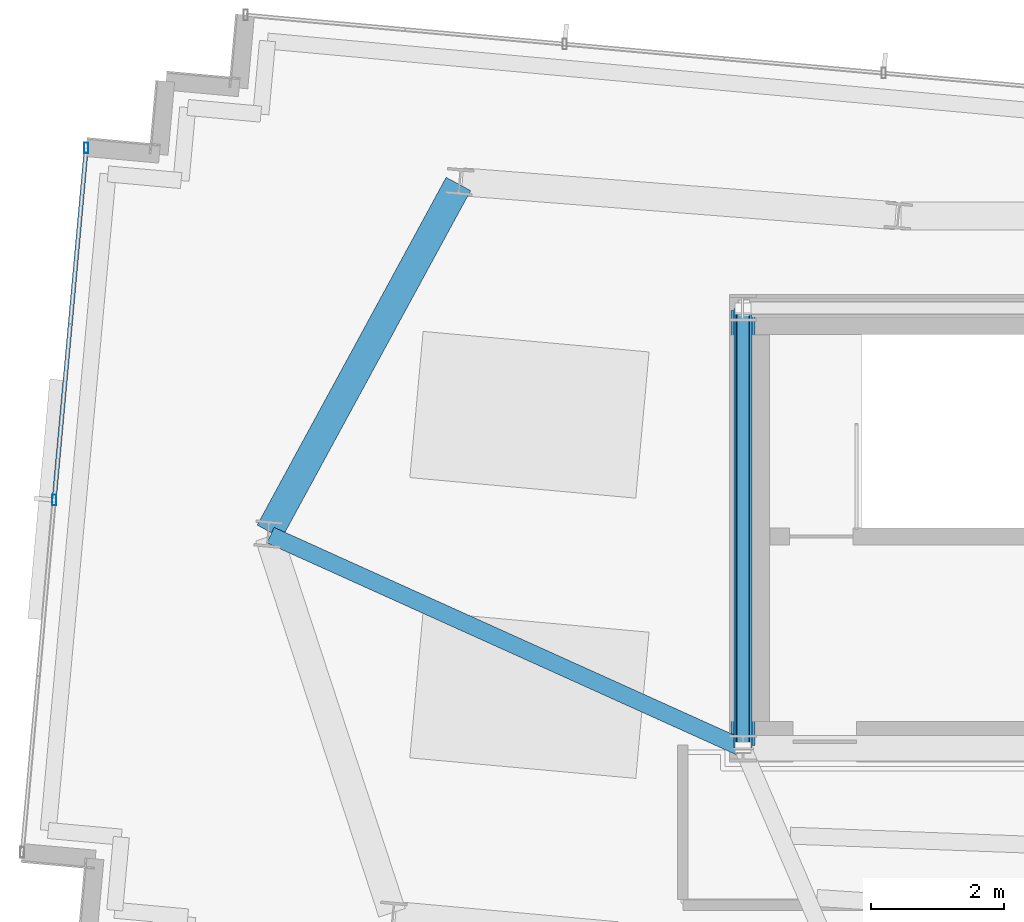
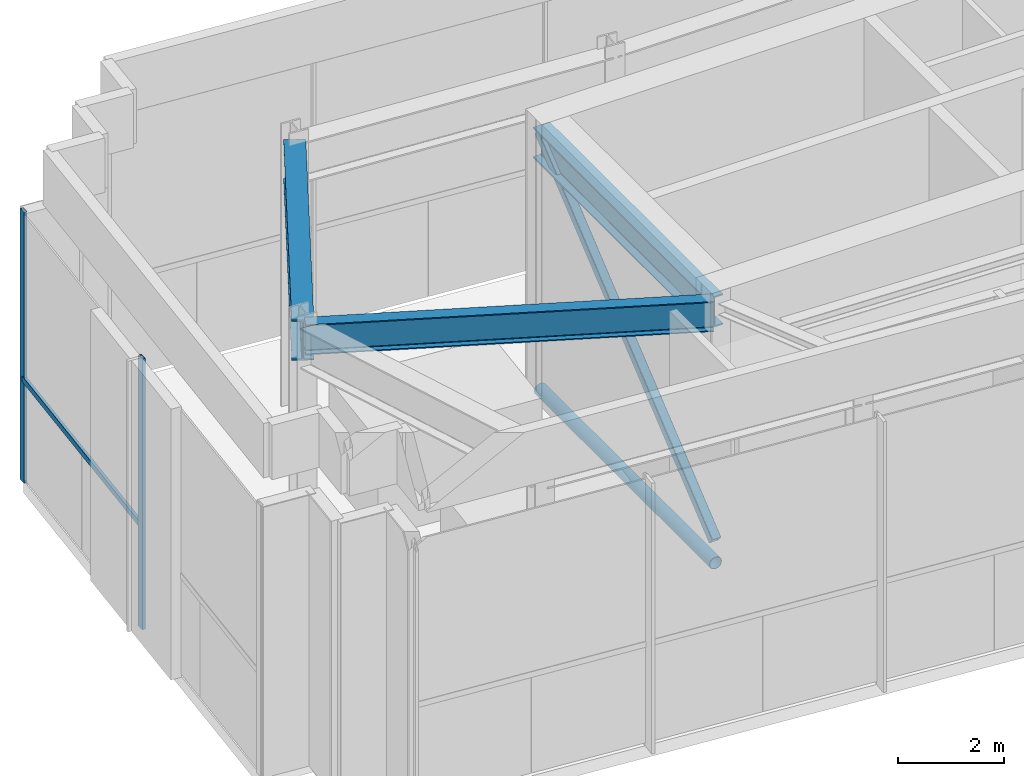
# One storey, part 4 of 18: 5 members, 3 beams, 1 element without a shape of its own.
"""IFC4 building model written with IfcOpenShell, lengths in metres."""

import ifcopenshell
import ifcopenshell.guid

model = None  # the IFC model being written
_history = None  # IfcOwnerHistory: only IFC2X3 demands one
_inside = {}  # id of a spatial element -> (the spatial element, [elements in it])
_under = {}  # id of a project, library or spatial element -> (it, [spatial elements below it])
_declared = {}  # id of a project -> (the project, [libraries it declares])
_typed = {}  # id of a type object -> (the type object, [elements of that type])
_made_of = {}  # id of a material, layer set ... -> (it, [elements and type objects made of it])


def new_model(schema):
    """Start an empty IFC model of exactly this schema.

    Asked for "IFC4X3", IfcOpenShell would pick the latest addendum, in which some entities
    have other attributes; the version numbers below select the first issue.
    IFC2X3 requires an IfcOwnerHistory on every rooted entity: one is made here for all.
    """
    global model, _history
    if schema == "IFC4X3":
        model = ifcopenshell.file(schema_version=(4, 3, 0, 0))
    else:
        model = ifcopenshell.file(schema=schema)
    _inside.clear()
    _under.clear()
    _declared.clear()
    _typed.clear()
    _made_of.clear()
    _history = None
    if model.schema == "IFC2X3":
        org = make("IfcOrganization", Name="unknown")
        user = make(
            "IfcPersonAndOrganization",
            ThePerson=make("IfcPerson", FamilyName="unknown"),
            TheOrganization=org,
        )
        app = make(
            "IfcApplication",
            ApplicationDeveloper=org,
            Version="unknown",
            ApplicationFullName="unknown",
            ApplicationIdentifier="unknown",
        )
        _history = make(
            "IfcOwnerHistory",
            OwningUser=user,
            OwningApplication=app,
            ChangeAction="ADDED",
            CreationDate=0,
        )
    return model


def make(cls, **values):
    """One entity of the class cls with the attributes given. An attribute that is None is left unset."""
    return model.create_entity(
        cls, **{name: value for name, value in values.items() if value is not None}
    )


def rooted(cls, **values):
    """An entity with a GlobalId (a new one), such as an element, a storey or a relation."""
    return make(cls, GlobalId=ifcopenshell.guid.new(), OwnerHistory=_history, **values)


def si_unit(unit_type, name, prefix=None):
    """IfcSIUnit, for example si_unit("LENGTHUNIT", "METRE", prefix="MILLI")."""
    return make("IfcSIUnit", UnitType=unit_type, Prefix=prefix, Name=name)


def assignment(units):
    """IfcUnitAssignment: the units of a project."""
    return None if units is None else make("IfcUnitAssignment", Units=units)


def point(xyz):
    """IfcCartesianPoint."""
    return None if xyz is None else make("IfcCartesianPoint", Coordinates=xyz)


def direction(xyz):
    """IfcDirection."""
    return None if xyz is None else make("IfcDirection", DirectionRatios=xyz)


def frame(location, z_axis=None, x_axis=None):
    """IfcAxis2Placement3D, a coordinate frame: its origin and axes. An axis left out is left unset."""
    return make(
        "IfcAxis2Placement3D",
        Location=point(location),
        Axis=direction(z_axis),
        RefDirection=direction(x_axis),
    )


def frame_2d(location, x_axis=None):
    """IfcAxis2Placement2D, a coordinate frame in the plane: its origin and x axis."""
    return make(
        "IfcAxis2Placement2D", Location=point(location), RefDirection=direction(x_axis)
    )


def origin():
    """The frame at (0, 0, 0) with its axes left unset."""
    return frame((0.0, 0.0, 0.0))


def origin_2d():
    """The frame at (0, 0) in the plane with its x axis left unset."""
    return frame_2d((0.0, 0.0))


def place(relative_to, where):
    """IfcLocalPlacement: puts the frame where relative to a parent placement (None: the world)."""
    return make(
        "IfcLocalPlacement", PlacementRelTo=relative_to, RelativePlacement=where
    )


def context(
    kind, dimensions, precision=None, world=None, true_north=None, identifier=None
):
    """IfcGeometricRepresentationContext, for example the 3D "Model" context."""
    return make(
        "IfcGeometricRepresentationContext",
        ContextIdentifier=identifier,
        ContextType=kind,
        CoordinateSpaceDimension=dimensions,
        Precision=precision,
        WorldCoordinateSystem=world,
        TrueNorth=true_north,
    )


def subcontext(parent, identifier, kind, view, scale=None):
    """IfcGeometricRepresentationSubContext, for example "Body" below "Model"."""
    return make(
        "IfcGeometricRepresentationSubContext",
        ContextIdentifier=identifier,
        ContextType=kind,
        ParentContext=parent,
        TargetScale=scale,
        TargetView=view,
    )


def project(units=None, contexts=None):
    """IfcProject with its units and contexts."""
    return rooted(
        "IfcProject",
        Name="project",
        RepresentationContexts=contexts,
        UnitsInContext=assignment(units),
    )


def spatial(cls, under=None, at=None, **own):
    """A site, building, storey or space (cls), placed at a placement, below another one or the project."""
    s = rooted(cls, ObjectPlacement=at, **own)
    if under is not None:
        _under.setdefault(under.id(), (under, []))[1].append(s)
    return s


def profile(cls, at=None, kind="AREA", **sizes):
    """A parametric profile (cls). Its sizes go by their IFC names, for example OverallWidth=200.0."""
    return make(cls, ProfileType=kind, Position=at, **sizes)


def hollow_rectangle(**sizes):
    """IfcRectangleHollowProfileDef."""
    return profile("IfcRectangleHollowProfileDef", **sizes)


def hollow_circle(**sizes):
    """IfcCircleHollowProfileDef."""
    return profile("IfcCircleHollowProfileDef", **sizes)


def i_section(**sizes):
    """IfcIShapeProfileDef."""
    return profile("IfcIShapeProfileDef", **sizes)


def extrude(swept, where, along, depth):
    """IfcExtrudedAreaSolid: the profile swept, set in the frame where, extruded along a direction by depth."""
    return make(
        "IfcExtrudedAreaSolid",
        SweptArea=swept,
        Position=where,
        ExtrudedDirection=direction(along),
        Depth=depth,
    )


def shape(context_of_items, identifier, shape_type, items):
    """IfcShapeRepresentation: the items that make up one representation, for example the "Body"."""
    return make(
        "IfcShapeRepresentation",
        ContextOfItems=context_of_items,
        RepresentationIdentifier=identifier,
        RepresentationType=shape_type,
        Items=items,
    )


def source(mapping_origin, context_of_items, identifier, shape_type, items):
    """IfcRepresentationMap: a shape defined once, which mapped items show again and again."""
    return make(
        "IfcRepresentationMap",
        MappingOrigin=mapping_origin,
        MappedRepresentation=shape(context_of_items, identifier, shape_type, items),
    )


def transform(
    local_origin,
    x_axis=None,
    y_axis=None,
    z_axis=None,
    scale=None,
    scale2=None,
    scale3=None,
    uniform=True,
):
    """IfcCartesianTransformationOperator3D, or its non-uniform kind. x_axis, y_axis, z_axis: its Axis1, 2, 3."""
    if uniform:
        return make(
            "IfcCartesianTransformationOperator3D",
            Axis1=direction(x_axis),
            Axis2=direction(y_axis),
            LocalOrigin=point(local_origin),
            Scale=scale,
            Axis3=direction(z_axis),
        )
    return make(
        "IfcCartesianTransformationOperator3DnonUniform",
        Axis1=direction(x_axis),
        Axis2=direction(y_axis),
        LocalOrigin=point(local_origin),
        Scale=scale,
        Axis3=direction(z_axis),
        Scale2=scale2,
        Scale3=scale3,
    )


def mapped(mapping_source, mapping_target):
    """IfcMappedItem: shows the shape of a source again, moved by a transform."""
    return make(
        "IfcMappedItem", MappingSource=mapping_source, MappingTarget=mapping_target
    )


def material(Name=None, Category=None):
    """IfcMaterial."""
    return make("IfcMaterial", Name=Name, Category=Category)


def material_profile(
    of_material, cross_section, Name=None, Category=None, Priority=None
):
    """IfcMaterialProfile: a cross section and its material."""
    return make(
        "IfcMaterialProfile",
        Name=Name,
        Material=of_material,
        Profile=cross_section,
        Priority=Priority,
        Category=Category,
    )


def profile_set(profiles, Name=None, composite=None):
    """IfcMaterialProfileSet."""
    return make(
        "IfcMaterialProfileSet",
        Name=Name,
        MaterialProfiles=profiles,
        CompositeProfile=composite,
    )


def made_of(thing, what):
    """Note that an element or type object is made of a material, layer set ...; save() writes the relation."""
    if what is not None:
        _made_of.setdefault(what.id(), (what, []))[1].append(thing)
    return thing


def type_object(cls, material=None, **own):
    """A type object (cls), such as IfcWallType, which elements share."""
    return made_of(rooted(cls, **own), material)


def type_shapes(of_type, sources):
    """Give a type object the sources (RepresentationMaps) that its elements show as mapped items."""
    of_type.RepresentationMaps = sources


def element(
    cls,
    number,
    at=None,
    inside=None,
    cuts=None,
    type_object=None,
    material=None,
    context=None,
    identifier="Body",
    shape_type=None,
    held_by="IfcProductDefinitionShape",
    body=None,
    shapes=None,
    **own,
):
    """One element of the class cls, such as IfcWall. Its Tag is "e" and its number.

    at: its placement. inside: the storey or other place that contains it. cuts: it is an
    opening in that element (IfcRelVoidsElement). A single representation is given by context,
    identifier, shape_type and body (its items); several are given by shapes. held_by: the class
    of the entity that holds the representations. save() writes the other relations.
    """
    e = rooted(cls, Tag="e%d" % number, ObjectPlacement=at, **own)
    if body is not None:
        shapes = [shape(context, identifier, shape_type, body)]
    if shapes is not None:
        e.Representation = make(held_by, Representations=shapes)
    if inside is not None:
        _inside.setdefault(inside.id(), (inside, []))[1].append(e)
    if cuts is not None:
        rooted(
            "IfcRelVoidsElement", RelatingBuildingElement=cuts, RelatedOpeningElement=e
        )
    if type_object is not None:
        _typed.setdefault(type_object.id(), (type_object, []))[1].append(e)
    return made_of(e, material)


def aggregate(whole, parts):
    """IfcRelAggregates: a whole, such as a stair, and the parts it consists of."""
    return rooted("IfcRelAggregates", RelatingObject=whole, RelatedObjects=parts)


def save(model, path):
    """Write the relations noted so far, then the file.

    IfcRelAggregates (storeys below a building ...), IfcRelContainedInSpatialStructure (elements
    in a storey), IfcRelDefinesByType, IfcRelAssociatesMaterial and IfcRelDeclares: one each for
    every whole, place, type object, material and project.
    """
    for whole, parts in _under.values():
        aggregate(whole, parts)
    for where, things in _inside.values():
        rooted(
            "IfcRelContainedInSpatialStructure",
            RelatedElements=things,
            RelatingStructure=where,
        )
    for kind, things in _typed.values():
        rooted("IfcRelDefinesByType", RelatedObjects=things, RelatingType=kind)
    for what, things in _made_of.values():
        rooted("IfcRelAssociatesMaterial", RelatedObjects=things, RelatingMaterial=what)
    for by, libraries in _declared.values():
        rooted("IfcRelDeclares", RelatingContext=by, RelatedDefinitions=libraries)
    model.write(path)


model = new_model("IFC4")

# Units and contexts
model_context = context("Model", 3, precision=1e-05, world=origin(), true_north=direction((0.0, 1.0)))
body_context = subcontext(model_context, "Body", "Model", "MODEL_VIEW")
ifc_project = project(units=[si_unit("LENGTHUNIT", "METRE"), si_unit("AREAUNIT", "SQUARE_METRE"), si_unit("VOLUMEUNIT", "CUBIC_METRE"), si_unit("PLANEANGLEUNIT", "RADIAN"), si_unit("MASSUNIT", "GRAM", prefix="KILO")], contexts=[model_context])

# Site, building, storey
site_placement = place(None, origin())
site = spatial("IfcSite", under=ifc_project, at=site_placement, CompositionType="ELEMENT")
building_placement = place(site_placement, origin())
building = spatial("IfcBuilding", under=site, at=building_placement, Name="Astriad Promenade Condominiums", CompositionType="ELEMENT")
storey_placement = place(building_placement, frame((0.0, 0.0, 290.300048828125)))
storey = spatial("IfcBuildingStorey", under=building, at=storey_placement, Name="L80", CompositionType="ELEMENT", Elevation=290.300048828125)

# Beams
ifc_material_1 = material(Name="Steel ASTM A992 Grade 50", Category="steel")
ifc_material_profile_1 = material_profile(ifc_material_1, i_section(OverallWidth=0.35791015625, OverallDepth=0.706298828125, WebThickness=0.018310546875, FlangeThickness=0.0302734375, FilletRadius=0.020263671875, at=origin_2d()), Name="W27X178")
ifc_profile_set_1 = profile_set([ifc_material_profile_1], Name="Steel ASTM A992 Grade 50")
beam_type_1 = type_object("IfcBeamType", Name="STEEL FLOOR GIRDER W27X178", PredefinedType="BEAM", material=ifc_profile_set_1)
shared_shape_1 = source(origin(), body_context, "Body", "SweptSolid", [
    extrude(i_section(OverallWidth=0.35791015625, OverallDepth=0.706298828125, WebThickness=0.018310546875, FlangeThickness=0.0302734375, FilletRadius=0.020263671875, at=origin_2d()), origin(), (0.0, 0.0, 1.0), 6.52001953125),
])
type_shapes(beam_type_1, [shared_shape_1])
beam_1_placement = place(storey_placement, frame((26.39990234375, 17.43994140625, 5.86669921875), z_axis=(0.0, 1.0, 0.0), x_axis=(-1.0, 0.0, 0.0)))
element("IfcBeam", 1, at=beam_1_placement, inside=storey, type_object=beam_type_1, Name="Core Ring Beam CG-W1-L80", PredefinedType="BEAM", context=body_context, shape_type="MappedRepresentation", body=[
    mapped(shared_shape_1, transform((0.0, 0.0, 0.0), scale=1.0)),
])
ifc_material_profile_2 = material_profile(ifc_material_1, i_section(OverallWidth=0.255859375, OverallDepth=0.693115234375, WebThickness=0.014404296875, FlangeThickness=0.023681640625, FilletRadius=0.020263671875, at=origin_2d()), Name="W27X114")
ifc_profile_set_2 = profile_set([ifc_material_profile_2], Name="Steel ASTM A992 Grade 50")
beam_type_2 = type_object("IfcBeamType", Name="STEEL FLOOR GIRDER W27X114", PredefinedType="BEAM", material=ifc_profile_set_2)
shared_shape_2 = source(origin(), body_context, "Body", "SweptSolid", [
    extrude(i_section(OverallWidth=0.255859375, OverallDepth=0.693115234375, WebThickness=0.014404296875, FlangeThickness=0.023681640625, FilletRadius=0.020263671875, at=origin_2d()), origin(), (0.0, 0.0, 1.0), 7.727294921875),
])
type_shapes(beam_type_2, [shared_shape_2])
beam_2_placement = place(storey_placement, frame((19.320556640625, 20.595703125, 5.873291015625), z_axis=(0.911443223183, -0.411425875357, 0.0), x_axis=(0.411425875357, 0.911443223183, 0.0)))
element("IfcBeam", 2, at=beam_2_placement, inside=storey, type_object=beam_type_2, Name="Primary Floor Girder PG-WM-L80", PredefinedType="BEAM", context=body_context, shape_type="MappedRepresentation", body=[
    mapped(shared_shape_2, transform((0.0, 0.0, 0.0), scale=1.0)),
])
ifc_material_profile_3 = material_profile(ifc_material_1, i_section(OverallWidth=0.418212890625, OverallDepth=0.926513671875, WebThickness=0.019287109375, FlangeThickness=0.031982421875, FilletRadius=0.024169921875, at=origin_2d()), Name="W36X231")
ifc_profile_set_3 = profile_set([ifc_material_profile_3], Name="Steel ASTM A992 Grade 50")
beam_type_3 = type_object("IfcBeamType", Name="STEEL CROWN RING BEAM W36X231", PredefinedType="BEAM", material=ifc_profile_set_3)
shared_shape_3 = source(origin(), body_context, "Body", "SweptSolid", [
    extrude(i_section(OverallWidth=0.418212890625, OverallDepth=0.926513671875, WebThickness=0.019287109375, FlangeThickness=0.031982421875, FilletRadius=0.024169921875, at=origin_2d()), origin(), (0.0, 0.0, 1.0), 5.93115234375),
])
type_shapes(beam_type_3, [shared_shape_3])
beam_3_placement = place(storey_placement, frame((22.135498046875, 25.8583984375, 5.756591796875), z_axis=(-0.477527827146, -0.878616625327, 0.0), x_axis=(0.878616625327, -0.477527827146, 0.0)))
element("IfcBeam", 3, at=beam_3_placement, inside=storey, type_object=beam_type_3, Name="Perimeter Spandrel Beam SP-W2-L80", PredefinedType="BEAM", context=body_context, shape_type="MappedRepresentation", body=[
    mapped(shared_shape_3, transform((0.0, 0.0, 0.0), scale=1.0)),
])

# Members
ifc_material_2 = material(Name="Steel ASTM A500 Grade C", Category="steel")
ifc_material_profile_4 = material_profile(ifc_material_2, hollow_circle(Radius=0.136474609375, WallThickness=0.01171875, at=origin_2d()), Name="HSS273.1X12.7")
ifc_profile_set_4 = profile_set([ifc_material_profile_4], Name="Steel ASTM A500 Grade C")
member_type_1 = type_object("IfcMemberType", Name="HSS SKY GARDEN CANOPY STRUT D273", PredefinedType="STRUT", material=ifc_profile_set_4)
shared_shape_4 = source(origin(), body_context, "Body", "SweptSolid", [
    extrude(hollow_circle(Radius=0.136474609375, WallThickness=0.01171875, at=origin_2d()), origin(), (0.0, 0.0, 1.0), 6.590087890625),
])
type_shapes(member_type_1, [shared_shape_4])
member_1_placement = place(storey_placement, frame((26.39990234375, 17.405029296875, 0.119873046875), z_axis=(0.0, 1.0, 0.0), x_axis=(-1.0, 0.0, 0.0)))
element("IfcMember", 4, at=member_1_placement, inside=storey, type_object=member_type_1, Name="Crown Ring Interior Chord HCHORD-L80-03", PredefinedType="STRUT", context=body_context, shape_type="MappedRepresentation", body=[
    mapped(shared_shape_4, transform((0.0, 0.0, 0.0), scale=1.0)),
])
ifc_material_profile_5 = material_profile(ifc_material_2, hollow_rectangle(XDim=0.203125, YDim=0.203125, WallThickness=0.01171875, InnerFilletRadius=0.01171875, OuterFilletRadius=0.023681640625, at=origin_2d()), Name="HSS203X203X12.7")
ifc_profile_set_5 = profile_set([ifc_material_profile_5], Name="Steel ASTM A500 Grade C")
member_type_2 = type_object("IfcMemberType", Name="HSS CANOPY OUTRIGGER STRUT 203X203", PredefinedType="STRUT", material=ifc_profile_set_5)
shared_shape_5 = source(origin(), body_context, "Body", "SweptSolid", [
    extrude(hollow_rectangle(XDim=0.203125, YDim=0.203125, WallThickness=0.01171875, InnerFilletRadius=0.01171875, OuterFilletRadius=0.023681640625, at=origin_2d()), origin(), (0.0, 0.0, 1.0), 8.509521484375),
])
type_shapes(member_type_2, [shared_shape_5])
member_2_placement = place(storey_placement, frame((26.39990234375, 17.419189453125, 0.6357421875), z_axis=(0.0, 0.771087298108, 0.636729439162), x_axis=(-1.0, 0.0, 0.0)))
element("IfcMember", 5, at=member_2_placement, inside=storey, type_object=member_type_2, Name="Crown Ring Interior Brace HBRACE-L80-03", PredefinedType="STRUT", context=body_context, shape_type="MappedRepresentation", body=[
    mapped(shared_shape_5, transform((0.0, 0.0, 0.0), scale=1.0)),
])

# Curtain wall, members
ifc_material_3 = material(Name="Anodised aluminium Black Dark Glass Unitised", Category="aluminium")
curtain_wall_type = type_object("IfcCurtainWallType", Name="CW-TMD-LANTERN", PredefinedType="USERDEFINED", material=ifc_material_3)
curtain_wall_placement = place(storey_placement, origin())
curtain_wall = element("IfcCurtainWall", 6, at=curtain_wall_placement, inside=storey, type_object=curtain_wall_type, Name="CW-CRN-L80-03", ObjectType="UNITISED_CURTAIN_WALL", PredefinedType="USERDEFINED")
ifc_material_4 = material(Name="Anodised aluminium 6063-T6 Black", Category="aluminium")
ifc_material_profile_6 = material_profile(ifc_material_4, hollow_rectangle(XDim=0.06494140625, YDim=0.1298828125, WallThickness=0.00390625, at=origin_2d()), Name="ALU-TRN-65X130")
ifc_profile_set_6 = profile_set([ifc_material_profile_6], Name="Anodised aluminium 6063-T6 Black")
member_type_3 = type_object("IfcMemberType", Name="TRN-ALU-TRN-65X130", PredefinedType="USERDEFINED", material=ifc_profile_set_6)
shared_shape_6 = source(origin(), body_context, "Body", "SweptSolid", [
    extrude(hollow_rectangle(XDim=0.06494140625, YDim=0.1298828125, WallThickness=0.00390625, at=origin_2d()), origin(), (0.0, 0.0, 1.0), 5.2998046875),
])
type_shapes(member_type_3, [shared_shape_6])
member_3_placement = place(storey_placement, frame((16.078125, 21.1220703125, 2.349853515625), z_axis=(0.090656194392, 0.995882249274, 0.0), x_axis=(-0.995882249274, 0.090656194392, 0.0)))
member_3 = element("IfcMember", 7, at=member_3_placement, type_object=member_type_3, Name="CW-CRN-L80-03-TRN-01-0", ObjectType="TRANSOM", PredefinedType="USERDEFINED", context=body_context, shape_type="MappedRepresentation", body=[
    mapped(shared_shape_6, transform((0.0, 0.0, 0.0), scale=1.0)),
])
ifc_material_profile_7 = material_profile(ifc_material_4, hollow_rectangle(XDim=0.06494140625, YDim=0.159912109375, WallThickness=0.00390625, at=origin_2d()), Name="ALU-MUL-65X160")
ifc_profile_set_7 = profile_set([ifc_material_profile_7], Name="Anodised aluminium 6063-T6 Black")
member_type_4 = type_object("IfcMemberType", Name="MUL-ALU-MUL-65X160", PredefinedType="MULLION", material=ifc_profile_set_7)
shared_shape_7 = source(origin(), body_context, "Body", "SweptSolid", [
    extrude(hollow_rectangle(XDim=0.06494140625, YDim=0.159912109375, WallThickness=0.00390625, at=origin_2d()), origin(), (0.0, 0.0, 1.0), 6.219970703125),
])
type_shapes(member_type_4, [shared_shape_7])
member_4_placement = place(storey_placement, frame((16.078125, 21.1220703125, 0.0), z_axis=(0.0, 0.0, 1.0), x_axis=(1.0, 0.0, 0.0)))
member_4 = element("IfcMember", 8, at=member_4_placement, type_object=member_type_4, Name="CW-CRN-L80-03-MUL-01", PredefinedType="MULLION", context=body_context, shape_type="MappedRepresentation", body=[
    mapped(shared_shape_7, transform((0.0, 0.0, 0.0), scale=1.0)),
])
member_5_placement = place(storey_placement, frame((16.55859375, 26.400146484375, 0.0), z_axis=(0.0, 0.0, 1.0), x_axis=(1.0, 0.0, 0.0)))
member_5 = element("IfcMember", 9, at=member_5_placement, type_object=member_type_4, Name="CW-CRN-L80-03-MUL-02", PredefinedType="MULLION", context=body_context, shape_type="MappedRepresentation", body=[
    mapped(shared_shape_7, transform((0.0, 0.0, 0.0), scale=1.0)),
])
aggregate(curtain_wall, [member_4, member_5, member_3])

save(model, "model.ifc")
